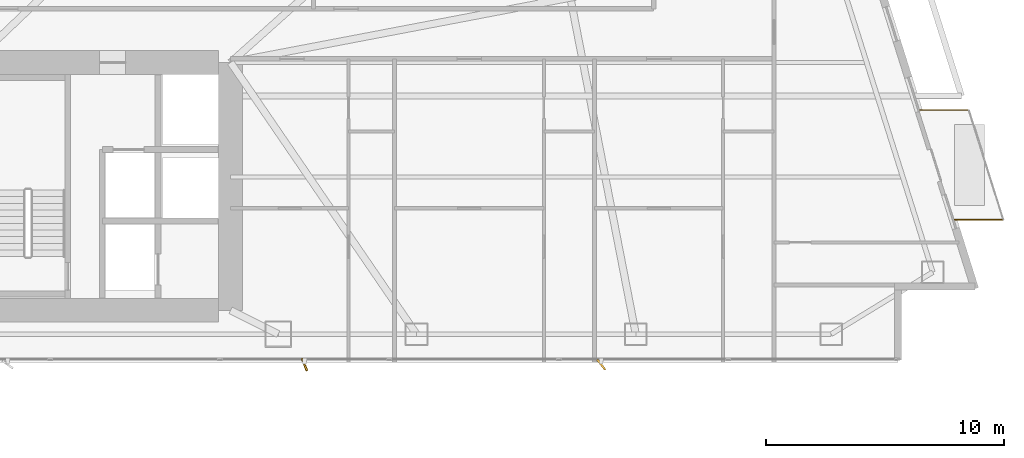
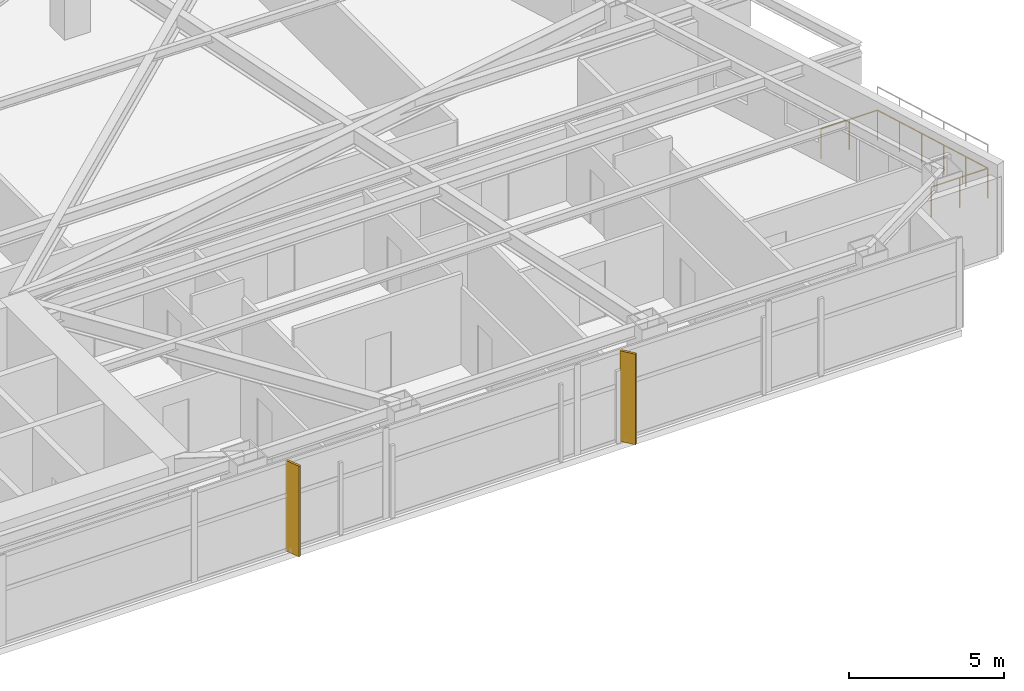
# One storey, part 29 of 30: 2 shading devices, 1 railing.
"""IFC4 building model written with IfcOpenShell, lengths in metres."""

from ifc_helpers import new_model, si_unit, direction, frame, origin, origin_2d, place, context, subcontext, project, spatial, rectangle, circle, extrude, material, type_object, element, save


model = new_model("IFC4")

# Units and contexts
model_context = context("Model", 3, precision=1e-05, world=origin(), true_north=direction((0.0, 1.0)))
body_context = subcontext(model_context, "Body", "Model", "MODEL_VIEW")
ifc_project = project(units=[si_unit("LENGTHUNIT", "METRE"), si_unit("AREAUNIT", "SQUARE_METRE"), si_unit("VOLUMEUNIT", "CUBIC_METRE"), si_unit("PLANEANGLEUNIT", "RADIAN"), si_unit("MASSUNIT", "GRAM", prefix="KILO")], contexts=[model_context])

# Site, building, storey
site_placement = place(None, origin())
site = spatial("IfcSite", under=ifc_project, at=site_placement, CompositionType="ELEMENT")
building_placement = place(site_placement, origin())
building = spatial("IfcBuilding", under=site, at=building_placement, Name="Calvorn Quay Hotel", CompositionType="ELEMENT")
storey_placement = place(building_placement, frame((0.0, 0.0, 30.800048828125)))
storey = spatial("IfcBuildingStorey", under=building, at=storey_placement, Name="L06", CompositionType="ELEMENT", Elevation=30.800048828125)

# Railing
ifc_material_1 = material(Name="Pale Anodised Aluminium and Laminated Glass", Category="aluminium")
railing_type = type_object("IfcRailingType", Name="RLG-BALUSTRADE-1200", PredefinedType="BALUSTRADE", material=ifc_material_1)
railing_placement = place(storey_placement, frame((62.72802734375, 8.39990234375, 0.0)))
element("IfcRailing", 1, at=railing_placement, inside=storey, type_object=railing_type, Name="Tree Balcony Perimeter Balustrade L06-BALC-E", PredefinedType="BALUSTRADE", context=body_context, shape_type="SweptSolid", body=[
    extrude(circle(Radius=0.02392578125, at=origin_2d()), frame((0.0, 0.0, 1.17578125), z_axis=(1.0, 0.0, 0.0), x_axis=(0.0, 1.0, 0.0)), (0.0, 0.0, 1.0), 2.099853515625),
    extrude(circle(Radius=0.02392578125, at=origin_2d()), frame((2.099853515625, 0.0, 1.17578125), z_axis=(-0.300620172346, 0.953743944662, 0.0), x_axis=(-0.953743944662, -0.300620172346, 0.0)), (0.0, 0.0, 1.0), 4.8232421875),
    extrude(circle(Radius=0.02392578125, at=origin_2d()), frame((0.64990234375, 4.60009765625, 1.17578125), z_axis=(-1.0, 0.0, 0.0), x_axis=(0.0, -1.0, 0.0)), (0.0, 0.0, 1.0), 2.099853515625),
    extrude(circle(Radius=0.02099609375, at=origin_2d()), origin(), (0.0, 0.0, 1.0), 1.15185546875),
    extrude(circle(Radius=0.02099609375, at=origin_2d()), frame((1.0498046875, 0.0, 0.0)), (0.0, 0.0, 1.0), 1.15185546875),
    extrude(circle(Radius=0.02099609375, at=origin_2d()), frame((2.099853515625, 0.0, 0.0)), (0.0, 0.0, 1.0), 1.15185546875),
    extrude(circle(Radius=0.02099609375, at=origin_2d()), frame((1.809814453125, 0.919921875, 0.0)), (0.0, 0.0, 1.0), 1.15185546875),
    extrude(circle(Radius=0.02099609375, at=origin_2d()), frame((1.519775390625, 1.840087890625, 0.0)), (0.0, 0.0, 1.0), 1.15185546875),
    extrude(circle(Radius=0.02099609375, at=origin_2d()), frame((1.22998046875, 2.760009765625, 0.0)), (0.0, 0.0, 1.0), 1.15185546875),
    extrude(circle(Radius=0.02099609375, at=origin_2d()), frame((0.93994140625, 3.68017578125, 0.0)), (0.0, 0.0, 1.0), 1.15185546875),
    extrude(circle(Radius=0.02099609375, at=origin_2d()), frame((0.64990234375, 4.60009765625, 0.0)), (0.0, 0.0, 1.0), 1.15185546875),
    extrude(circle(Radius=0.02099609375, at=origin_2d()), frame((-0.39990234375, 4.60009765625, 0.0)), (0.0, 0.0, 1.0), 1.15185546875),
    extrude(circle(Radius=0.02099609375, at=origin_2d()), frame((-1.449951171875, 4.60009765625, 0.0)), (0.0, 0.0, 1.0), 1.15185546875),
])

# Shading devices
ifc_material_2 = material(Name="Champagne Bronze Anodised Aluminium 6063-T6", Category="aluminium")
shading_device_type_1 = type_object("IfcShadingDeviceType", Name="SHD-FIN-A1", PredefinedType="USERDEFINED", material=ifc_material_2)
shading_device_1_placement = place(storey_placement, frame((35.5, 2.320068359375, 0.0), z_axis=(0.0, 0.0, 1.0), x_axis=(-0.374606593416, 0.927183854567, 0.0)))
element("IfcShadingDevice", 2, at=shading_device_1_placement, inside=storey, type_object=shading_device_type_1, Name="Diagonal Sun-Shading Fin L06-S02", ObjectType="FIN", PredefinedType="USERDEFINED", context=body_context, shape_type="SweptSolid", body=[
    extrude(rectangle(XDim=0.550048828125, YDim=0.080078125, at=origin_2d()), origin(), (0.0, 0.0, 1.0), 3.56005859375),
])
ifc_material_3 = material(Name="Champagne Bronze Anodised Aluminium 6063-T6", Category="aluminium")
shading_device_type_2 = type_object("IfcShadingDeviceType", Name="SHD-FIN-A2", PredefinedType="USERDEFINED", material=ifc_material_3)
shading_device_2_placement = place(storey_placement, frame((47.949951171875, 2.320068359375, 0.0), z_axis=(0.0, 0.0, 1.0), x_axis=(-0.615661475326, 0.788010753607, 0.0)))
element("IfcShadingDevice", 3, at=shading_device_2_placement, inside=storey, type_object=shading_device_type_2, Name="Diagonal Sun-Shading Fin L06-S03", ObjectType="FIN", PredefinedType="USERDEFINED", context=body_context, shape_type="SweptSolid", body=[
    extrude(rectangle(XDim=0.550048828125, YDim=0.080078125, at=origin_2d()), origin(), (0.0, 0.0, 1.0), 3.56005859375),
])

save(model, "model.ifc")
